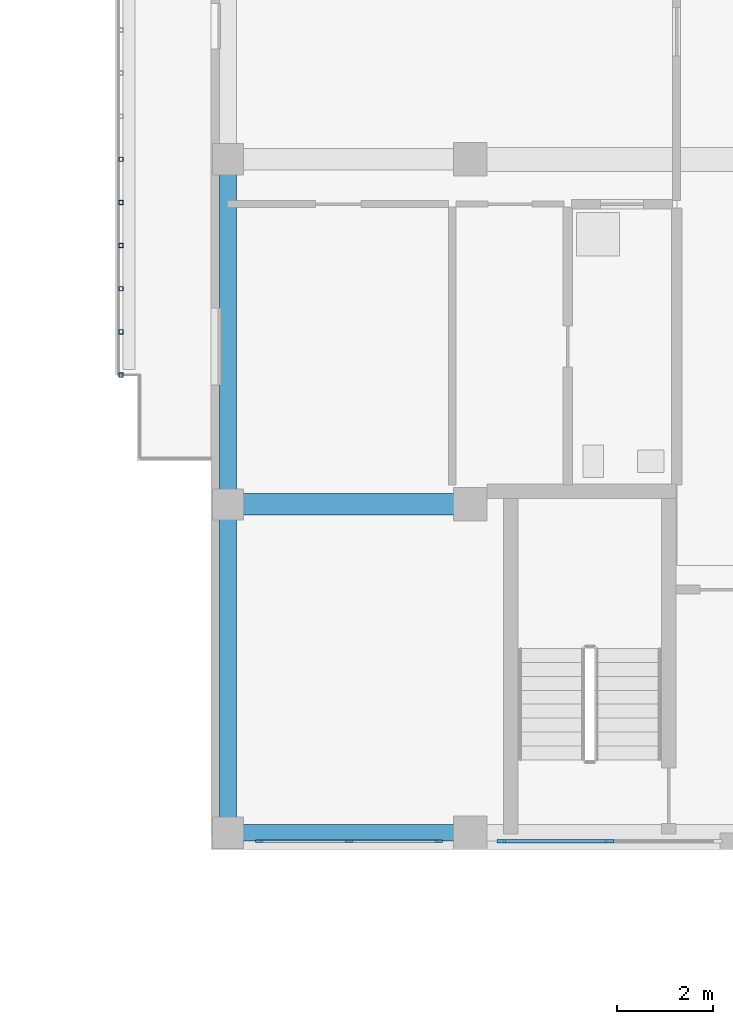
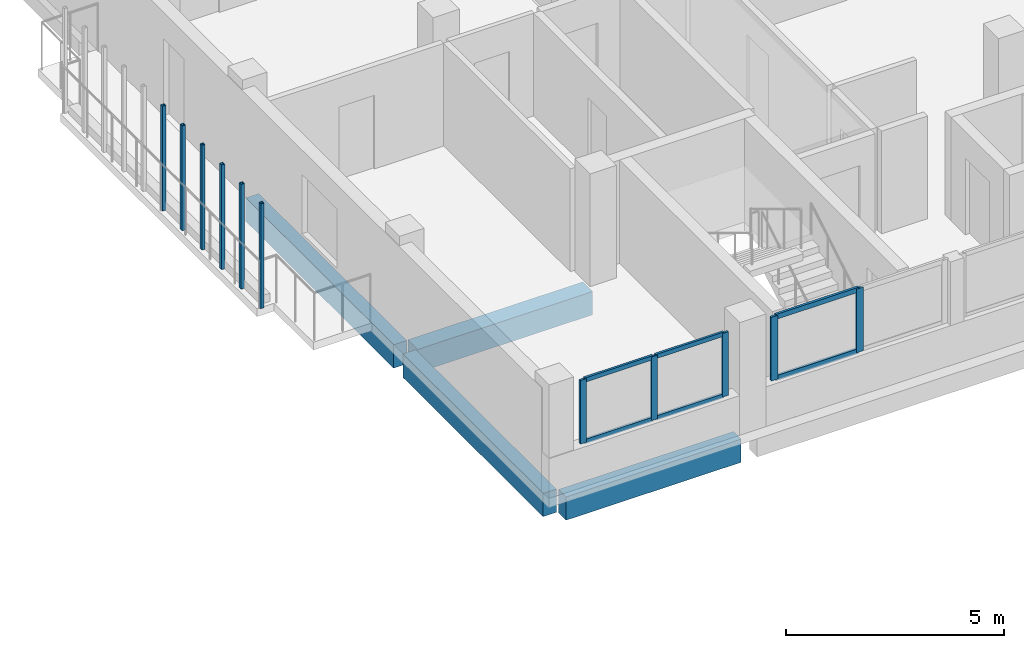
# One storey, part 16 of 51: 17 members, 4 beams, 2 elements without a shape of their own.
"""IFC4 building model written with IfcOpenShell, lengths in metres."""

from ifc_helpers import new_model, si_unit, derived_unit, direction, frame, origin, origin_2d, place, context, subcontext, project, spatial, rectangle, hollow_rectangle, extrude, material, layer, layer_set, material_profile, profile_set, type_object, element, aggregate, save


model = new_model("IFC4")

# Units and contexts
model_context = context("Model", 3, precision=1e-05, world=origin(), true_north=direction((0.0, 1.0)))
body_context = subcontext(model_context, "Body", "Model", "MODEL_VIEW")
ifc_project = project(units=[si_unit("LENGTHUNIT", "METRE"), si_unit("AREAUNIT", "SQUARE_METRE"), si_unit("VOLUMEUNIT", "CUBIC_METRE"), si_unit("PLANEANGLEUNIT", "RADIAN"), si_unit("MASSUNIT", "GRAM", prefix="KILO"), derived_unit("THERMALTRANSMITTANCEUNIT", [(si_unit("MASSUNIT", "GRAM", prefix="KILO"), 1), (si_unit("TIMEUNIT", "SECOND"), -3), (si_unit("THERMODYNAMICTEMPERATUREUNIT", "KELVIN"), -1)])], contexts=[model_context])

# Site, building, storey
site_placement = place(None, origin())
site = spatial("IfcSite", under=ifc_project, at=site_placement, CompositionType="ELEMENT")
building_placement = place(site_placement, origin())
building = spatial("IfcBuilding", under=site, at=building_placement, Name="Ochrekiln Boulevard Commons", CompositionType="ELEMENT")
storey_placement = place(building_placement, frame((0.0, 0.0, 18.375)))
storey = spatial("IfcBuildingStorey", under=building, at=storey_placement, Name="L05", CompositionType="ELEMENT", Elevation=18.375)

# Beam
ifc_material_1 = material(Name="Concrete C35/45", Category="concrete")
ifc_material_profile_1 = material_profile(ifc_material_1, rectangle(XDim=0.449951171875, YDim=0.64990234375, at=origin_2d()), Name="RC-BM-450x650")
ifc_profile_set_1 = profile_set([ifc_material_profile_1], Name="Concrete C35/45")
beam_type_1 = type_object("IfcBeamType", Name="BM-RC-450x650", PredefinedType="BEAM", material=ifc_profile_set_1)
beam_1_placement = place(storey_placement, frame((151.760009765625, 75.60009765625, -0.5849609375), z_axis=(1.0, 0.0, 0.0), x_axis=(0.0, 1.0, 0.0)))
element("IfcBeam", 1, at=beam_1_placement, inside=storey, type_object=beam_type_1, Name="Block B L05 Beam B-4565 X4", PredefinedType="BEAM", context=body_context, shape_type="SweptSolid", body=[
    extrude(rectangle(XDim=0.449951171875, YDim=0.64990234375, at=origin_2d()), origin(), (0.0, 0.0, 1.0), 4.6298828125),
])

# Curtain wall, members
ifc_material_2 = material(Name="Bronze-anodized extruded aluminium 6063-T6", Category="aluminium")
ifc_layer = layer(ifc_material_2, 0.18408203125)
ifc_layer_set = layer_set([ifc_layer], Name="Bronze-anodized extruded aluminium 6063-T6")
curtain_wall_type = type_object("IfcCurtainWallType", Name="CW-GABLE-B", PredefinedType="USERDEFINED", material=ifc_layer_set)
curtain_wall_1_placement = place(storey_placement, origin())
curtain_wall_1 = element("IfcCurtainWall", 2, at=curtain_wall_1_placement, inside=storey, type_object=curtain_wall_type, Name="Block B L05 Courtyard Glazed Gable Curtain Wall 1", ObjectType="GLAZED CURTAIN WALL", PredefinedType="USERDEFINED")
ifc_material_profile_2 = material_profile(ifc_material_2, rectangle(XDim=0.06005859375, YDim=0.159912109375, at=origin_2d()), Name="ALU-MUL-60x160")
ifc_profile_set_2 = profile_set([ifc_material_profile_2], Name="Bronze-anodized extruded aluminium 6063-T6")
member_type_1 = type_object("IfcMemberType", Name="CWM-60x160", PredefinedType="MULLION", material=ifc_profile_set_2)
member_1_placement = place(storey_placement, frame((152.199951171875, 68.570068359375, 1.110107421875), z_axis=(0.0, 0.0, 1.0), x_axis=(0.0, 1.0, 0.0)))
member_1 = element("IfcMember", 3, at=member_1_placement, type_object=member_type_1, Name="CW-02 mullion 1", PredefinedType="MULLION", context=body_context, shape_type="SweptSolid", body=[
    extrude(rectangle(XDim=0.06005859375, YDim=0.159912109375, at=origin_2d()), origin(), (0.0, 0.0, 1.0), 1.77978515625),
])
member_2_placement = place(storey_placement, frame((154.074951171875, 68.570068359375, 1.110107421875), z_axis=(0.0, 0.0, 1.0), x_axis=(0.0, 1.0, 0.0)))
member_2 = element("IfcMember", 4, at=member_2_placement, type_object=member_type_1, Name="CW-02 mullion 2", PredefinedType="MULLION", context=body_context, shape_type="SweptSolid", body=[
    extrude(rectangle(XDim=0.06005859375, YDim=0.159912109375, at=origin_2d()), origin(), (0.0, 0.0, 1.0), 1.77978515625),
])
member_3_placement = place(storey_placement, frame((155.949951171875, 68.570068359375, 1.110107421875), z_axis=(0.0, 0.0, 1.0), x_axis=(0.0, 1.0, 0.0)))
member_3 = element("IfcMember", 5, at=member_3_placement, type_object=member_type_1, Name="CW-02 mullion 3", PredefinedType="MULLION", context=body_context, shape_type="SweptSolid", body=[
    extrude(rectangle(XDim=0.06005859375, YDim=0.159912109375, at=origin_2d()), origin(), (0.0, 0.0, 1.0), 1.77978515625),
])

curtain_wall_2_placement = place(storey_placement, origin())
curtain_wall_2 = element("IfcCurtainWall", 6, at=curtain_wall_2_placement, inside=storey, type_object=curtain_wall_type, Name="Block B L05 Courtyard Glazed Gable Curtain Wall 2", ObjectType="GLAZED CURTAIN WALL", PredefinedType="USERDEFINED")
ifc_material_profile_3 = material_profile(ifc_material_2, rectangle(XDim=0.06494140625, YDim=0.179931640625, at=origin_2d()), Name="ALU-MUL-65x180")
ifc_profile_set_3 = profile_set([ifc_material_profile_3], Name="Bronze-anodized extruded aluminium 6063-T6")
member_type_2 = type_object("IfcMemberType", Name="CWM-65x180", PredefinedType="MULLION", material=ifc_profile_set_3)
member_4_placement = place(storey_placement, frame((157.25244140625, 68.570068359375, 1.110107421875), z_axis=(0.0, 0.0, 1.0), x_axis=(0.0, 1.0, 0.0)))
member_4 = element("IfcMember", 7, at=member_4_placement, type_object=member_type_2, Name="CW-02 mullion 1", PredefinedType="MULLION", context=body_context, shape_type="SweptSolid", body=[
    extrude(rectangle(XDim=0.06494140625, YDim=0.179931640625, at=origin_2d()), origin(), (0.0, 0.0, 1.0), 1.77978515625),
])
member_5_placement = place(storey_placement, frame((159.510009765625, 68.570068359375, 1.110107421875), z_axis=(0.0, 0.0, 1.0), x_axis=(0.0, 1.0, 0.0)))
member_5 = element("IfcMember", 8, at=member_5_placement, type_object=member_type_2, Name="CW-02 mullion 2", PredefinedType="MULLION", context=body_context, shape_type="SweptSolid", body=[
    extrude(rectangle(XDim=0.06494140625, YDim=0.179931640625, at=origin_2d()), origin(), (0.0, 0.0, 1.0), 1.77978515625),
])

# Member
ifc_material_profile_4 = material_profile(ifc_material_2, rectangle(XDim=0.06005859375, YDim=0.1201171875, at=origin_2d()), Name="ALU-TRN-60x120")
ifc_profile_set_4 = profile_set([ifc_material_profile_4], Name="Bronze-anodized extruded aluminium 6063-T6")
member_type_3 = type_object("IfcMemberType", Name="CWT-60x120", PredefinedType="USERDEFINED", material=ifc_profile_set_4)
member_6_placement = place(storey_placement, frame((152.22998046875, 68.570068359375, 1.139892578125), z_axis=(1.0, 0.0, 0.0), x_axis=(0.0, 1.0, 0.0)))
member_6 = element("IfcMember", 9, at=member_6_placement, type_object=member_type_3, Name="CW-02 transom 1.1", ObjectType="TRANSOM", PredefinedType="USERDEFINED", context=body_context, shape_type="SweptSolid", body=[
    extrude(rectangle(XDim=0.06005859375, YDim=0.1201171875, at=origin_2d()), origin(), (0.0, 0.0, 1.0), 1.81494140625),
])

member_7_placement = place(storey_placement, frame((152.22998046875, 68.570068359375, 2.860107421875), z_axis=(1.0, 0.0, 0.0), x_axis=(0.0, 1.0, 0.0)))
member_7 = element("IfcMember", 10, at=member_7_placement, type_object=member_type_3, Name="CW-02 transom 1.2", ObjectType="TRANSOM", PredefinedType="USERDEFINED", context=body_context, shape_type="SweptSolid", body=[
    extrude(rectangle(XDim=0.06005859375, YDim=0.1201171875, at=origin_2d()), origin(), (0.0, 0.0, 1.0), 1.81494140625),
])

member_8_placement = place(storey_placement, frame((154.10498046875, 68.570068359375, 1.139892578125), z_axis=(1.0, 0.0, 0.0), x_axis=(0.0, 1.0, 0.0)))
member_8 = element("IfcMember", 11, at=member_8_placement, type_object=member_type_3, Name="CW-02 transom 2.1", ObjectType="TRANSOM", PredefinedType="USERDEFINED", context=body_context, shape_type="SweptSolid", body=[
    extrude(rectangle(XDim=0.06005859375, YDim=0.1201171875, at=origin_2d()), origin(), (0.0, 0.0, 1.0), 1.81494140625),
])

member_9_placement = place(storey_placement, frame((154.10498046875, 68.570068359375, 2.860107421875), z_axis=(1.0, 0.0, 0.0), x_axis=(0.0, 1.0, 0.0)))
member_9 = element("IfcMember", 12, at=member_9_placement, type_object=member_type_3, Name="CW-02 transom 2.2", ObjectType="TRANSOM", PredefinedType="USERDEFINED", context=body_context, shape_type="SweptSolid", body=[
    extrude(rectangle(XDim=0.06005859375, YDim=0.1201171875, at=origin_2d()), origin(), (0.0, 0.0, 1.0), 1.81494140625),
])

aggregate(curtain_wall_1, [member_1, member_2, member_3, member_6, member_7, member_8, member_9])

ifc_material_profile_5 = material_profile(ifc_material_2, rectangle(XDim=0.06494140625, YDim=0.139892578125, at=origin_2d()), Name="ALU-TRN-65x140")
ifc_profile_set_5 = profile_set([ifc_material_profile_5], Name="Bronze-anodized extruded aluminium 6063-T6")
member_type_4 = type_object("IfcMemberType", Name="CWT-65x140", PredefinedType="USERDEFINED", material=ifc_profile_set_5)
member_10_placement = place(storey_placement, frame((157.284912109375, 68.570068359375, 1.142578125), z_axis=(1.0, 0.0, 0.0), x_axis=(0.0, 1.0, 0.0)))
member_10 = element("IfcMember", 13, at=member_10_placement, type_object=member_type_4, Name="CW-02 transom 1.1", ObjectType="TRANSOM", PredefinedType="USERDEFINED", context=body_context, shape_type="SweptSolid", body=[
    extrude(rectangle(XDim=0.06494140625, YDim=0.139892578125, at=origin_2d()), origin(), (0.0, 0.0, 1.0), 2.192626953125),
])

member_11_placement = place(storey_placement, frame((157.284912109375, 68.570068359375, 2.857421875), z_axis=(1.0, 0.0, 0.0), x_axis=(0.0, 1.0, 0.0)))
member_11 = element("IfcMember", 14, at=member_11_placement, type_object=member_type_4, Name="CW-02 transom 1.2", ObjectType="TRANSOM", PredefinedType="USERDEFINED", context=body_context, shape_type="SweptSolid", body=[
    extrude(rectangle(XDim=0.06494140625, YDim=0.139892578125, at=origin_2d()), origin(), (0.0, 0.0, 1.0), 2.192626953125),
])

aggregate(curtain_wall_2, [member_4, member_5, member_10, member_11])

# Members
ifc_material_3 = material(Name="Steel A500 Grade C", Category="steel")
ifc_material_profile_6 = material_profile(ifc_material_3, hollow_rectangle(XDim=0.090087890625, YDim=0.090087890625, WallThickness=0.00634765625, at=origin_2d()), Name="HSS90X90X6.4")
ifc_profile_set_6 = profile_set([ifc_material_profile_6], Name="Steel A500 Grade C")
member_type_5 = type_object("IfcMemberType", Name="MEM-PST-HSS90", PredefinedType="POST", material=ifc_profile_set_6)
for number, where, z_axis, x_axis, name in (
    (15, (149.320068359375, 78.300048828125, 0.0), (0.0, 0.0, 1.0), (1.0, 0.0, 0.0), "Block B L05 Slim Vertical Balcony Post (243)"),
    (16, (149.320068359375, 79.199951171875, 0.0), (0.0, 0.0, 1.0), (1.0, 0.0, 0.0), "Block B L05 Slim Vertical Balcony Post (244)"),
    (17, (149.320068359375, 80.10009765625, 0.0), (0.0, 0.0, 1.0), (1.0, 0.0, 0.0), "Block B L05 Slim Vertical Balcony Post (245)"),
    (18, (149.320068359375, 81.0, 0.0), (0.0, 0.0, 1.0), (1.0, 0.0, 0.0), "Block B L05 Slim Vertical Balcony Post (246)"),
    (19, (149.320068359375, 81.89990234375, 0.0), (0.0, 0.0, 1.0), (1.0, 0.0, 0.0), "Block B L05 Slim Vertical Balcony Post (247)"),
    (20, (149.320068359375, 82.800048828125, 0.0), (0.0, 0.0, 1.0), (1.0, 0.0, 0.0), "Block B L05 Slim Vertical Balcony Post (248)"),
):
    element("IfcMember", number, at=place(storey_placement, frame(where, z_axis=z_axis, x_axis=x_axis)), inside=storey, type_object=member_type_5, Name=name, PredefinedType="POST", context=body_context, shape_type="SweptSolid", body=[
        extrude(hollow_rectangle(XDim=0.090087890625, YDim=0.090087890625, WallThickness=0.00634765625, at=origin_2d()), origin(), (0.0, 0.0, 1.0), 2.929931640625),
    ])

# Beams
ifc_material_4 = material(Name="Concrete C40/50", Category="concrete")
ifc_material_profile_7 = material_profile(ifc_material_4, rectangle(XDim=0.35009765625, YDim=0.64990234375, at=origin_2d()), Name="RC-SPN-350x650")
ifc_profile_set_7 = profile_set([ifc_material_profile_7], Name="Concrete C40/50")
beam_type_2 = type_object("IfcBeamType", Name="SPN-RC-350x650", PredefinedType="SPANDREL", material=ifc_profile_set_7)
beam_2_placement = place(storey_placement, frame((151.760009765625, 68.75, -0.5849609375), z_axis=(1.0, 0.0, 0.0), x_axis=(0.0, 1.0, 0.0)))
element("IfcBeam", 21, at=beam_2_placement, inside=storey, type_object=beam_type_2, Name="Block B L05 Beam SP-3565 X1", PredefinedType="SPANDREL", context=body_context, shape_type="SweptSolid", body=[
    extrude(rectangle(XDim=0.35009765625, YDim=0.64990234375, at=origin_2d()), origin(), (0.0, 0.0, 1.0), 4.6298828125),
])
beam_3_placement = place(storey_placement, frame((151.550048828125, 68.9599609375, -0.5849609375), z_axis=(0.0, 1.0, 0.0), x_axis=(-1.0, 0.0, 0.0)))
element("IfcBeam", 22, at=beam_3_placement, inside=storey, type_object=beam_type_2, Name="Block B L05 Beam SP-3565 Y23", PredefinedType="SPANDREL", context=body_context, shape_type="SweptSolid", body=[
    extrude(rectangle(XDim=0.35009765625, YDim=0.64990234375, at=origin_2d()), origin(), (0.0, 0.0, 1.0), 6.429931640625),
])
beam_4_placement = place(storey_placement, frame((151.550048828125, 75.81005859375, -0.5849609375), z_axis=(0.0, 1.0, 0.0), x_axis=(-1.0, 0.0, 0.0)))
element("IfcBeam", 23, at=beam_4_placement, inside=storey, type_object=beam_type_2, Name="Block B L05 Beam SP-3565 Y24", PredefinedType="SPANDREL", context=body_context, shape_type="SweptSolid", body=[
    extrude(rectangle(XDim=0.35009765625, YDim=0.64990234375, at=origin_2d()), origin(), (0.0, 0.0, 1.0), 6.780029296875),
])

save(model, "model.ifc")
